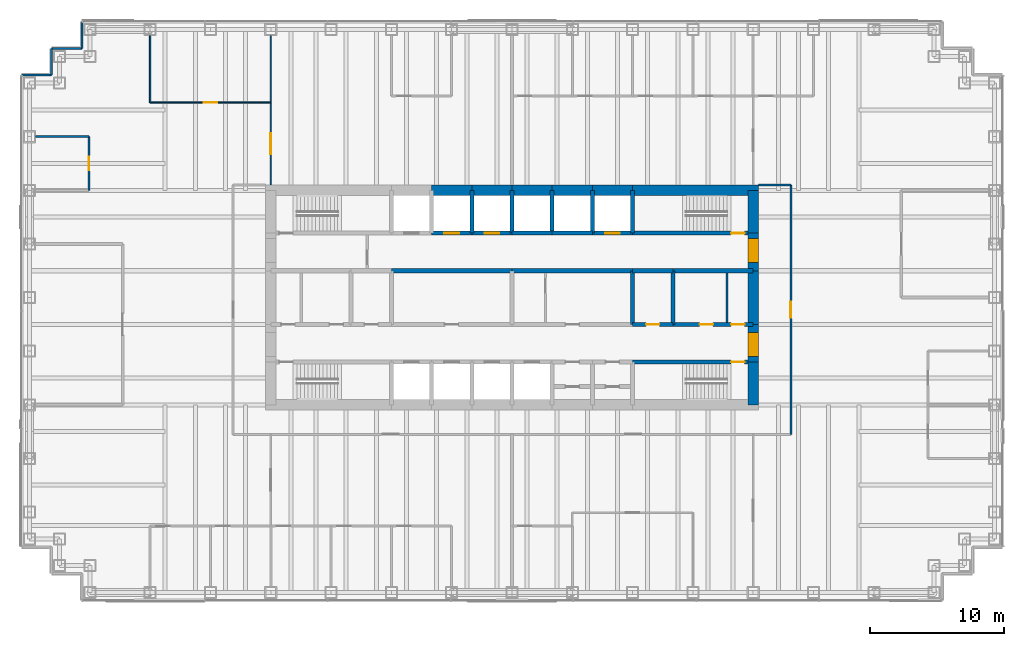
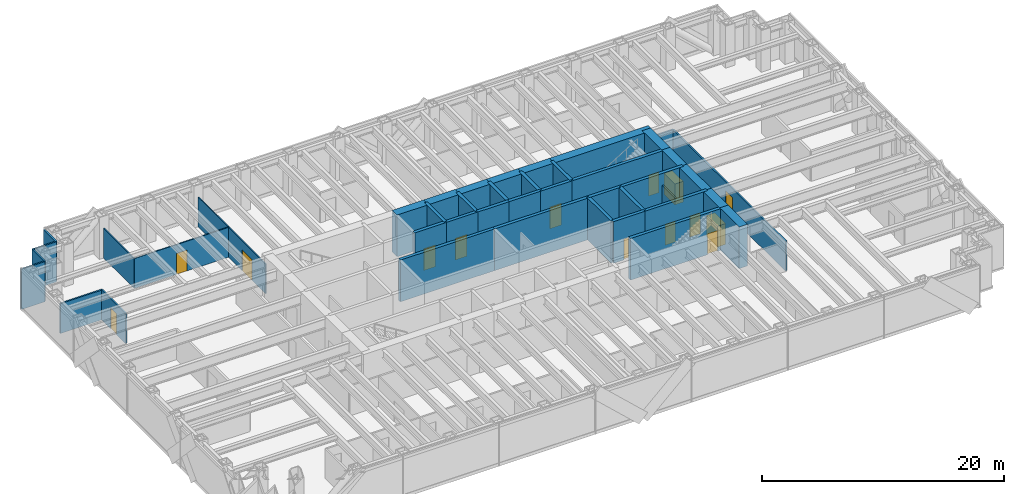
# One storey, part 16 of 18: 43 walls, 14 doors, 14 openings.
"""IFC4 building model written with IfcOpenShell, lengths in metres."""

from ifc_helpers import new_model, si_unit, direction, frame, frame_2d, origin, place, context, subcontext, project, spatial, rectangle, extrude, material, layer, layer_set, type_object, element, fill, save


model = new_model("IFC4")

# Units and contexts
model_context = context("Model", 3, precision=1e-05, world=origin(), true_north=direction((0.0, 1.0)))
body_context = subcontext(model_context, "Body", "Model", "MODEL_VIEW")
ifc_project = project(units=[si_unit("LENGTHUNIT", "METRE"), si_unit("AREAUNIT", "SQUARE_METRE"), si_unit("VOLUMEUNIT", "CUBIC_METRE"), si_unit("PLANEANGLEUNIT", "RADIAN"), si_unit("MASSUNIT", "GRAM", prefix="KILO")], contexts=[model_context])

# Site, building, storey
site_placement = place(None, origin())
site = spatial("IfcSite", under=ifc_project, at=site_placement, CompositionType="ELEMENT")
building_placement = place(site_placement, origin())
building = spatial("IfcBuilding", under=site, at=building_placement, Name="Rheinbord Bourse Tower", CompositionType="ELEMENT")
storey_placement = place(building_placement, frame((0.0, 0.0, 244.60009765625)))
storey = spatial("IfcBuildingStorey", under=building, at=storey_placement, Name="L55", CompositionType="ELEMENT", Elevation=244.60009765625)

# Wall, opening, door
ifc_material_1 = material(Name="Concrete C50/60", Category="concrete")
ifc_layer_1 = layer(ifc_material_1, 0.300048828125)
ifc_layer_set_1 = layer_set([ifc_layer_1], Name="CORE INNER WALL 300")
wall_type_1 = type_object("IfcWallType", Name="CORE INNER WALL 300", PredefinedType="SOLIDWALL", material=ifc_layer_set_1)
wall_1_placement = place(storey_placement, frame((45.0, 19.199951171875, 0.0), z_axis=(0.0, 0.0, 1.0), x_axis=(1.0, 0.0, 0.0)))
wall_1 = element("IfcWall", 1, at=wall_1_placement, inside=storey, type_object=wall_type_1, Name="Core wall A8 L55", PredefinedType="SOLIDWALL", context=body_context, shape_type="SweptSolid", body=[
    extrude(rectangle(XDim=9.0, YDim=0.300048828125, at=frame_2d((4.5, 0.0))), origin(), (0.0, 0.0, 1.0), 4.199951171875),
])
opening_1_placement = place(wall_1_placement, frame((7.35009765625, 0.0, 0.0)))
opening_1 = element("IfcOpeningElement", 2, at=opening_1_placement, cuts=wall_1, Name="Opening 5530", PredefinedType="OPENING", context=body_context, shape_type="SweptSolid", body=[
    extrude(rectangle(XDim=1.0, YDim=2.10009765625, at=frame_2d((0.5, 1.050048828125))), frame((0.0, 0.159912109375, 0.0), z_axis=(0.0, -1.0, 0.0), x_axis=(1.0, 0.0, 0.0)), (0.0, 0.0, 1.0), 0.320068359375),
])
ifc_material_2 = material(Name="Steel door", Category="steel")
door_type_1 = type_object("IfcDoorType", Name="DOOR 1000 EI30", OperationType="SINGLE_SWING_LEFT", PredefinedType="DOOR", material=ifc_material_2)
door_1_placement = place(opening_1_placement, origin())
door_1 = element("IfcDoor", 3, at=door_1_placement, inside=storey, type_object=door_type_1, Name="Stair door ST3 L55", OperationType="SINGLE_SWING_RIGHT", OverallHeight=2.10009765625, OverallWidth=1.0, PredefinedType="DOOR", context=body_context, shape_type="SweptSolid", body=[
    extrude(rectangle(XDim=1.0, YDim=2.10009765625, at=frame_2d((0.5, 1.050048828125))), frame((0.0, 0.02490234375, 0.0), z_axis=(0.0, -1.0, 0.0), x_axis=(1.0, 0.0, 0.0)), (0.0, 0.0, 1.0), 0.050048828125),
])
fill(opening_1, door_1)

wall_2_placement = place(storey_placement, frame((30.0, 28.800048828125, 0.0), z_axis=(0.0, 0.0, 1.0), x_axis=(1.0, 0.0, 0.0)))
wall_2 = element("IfcWall", 4, at=wall_2_placement, inside=storey, type_object=wall_type_1, Name="Core wall B3 L55", PredefinedType="SOLIDWALL", context=body_context, shape_type="SweptSolid", body=[
    extrude(rectangle(XDim=3.0, YDim=0.300048828125, at=frame_2d((1.5, 0.0))), origin(), (0.0, 0.0, 1.0), 4.199951171875),
])
opening_2_placement = place(wall_2_placement, frame((0.949951171875, 0.0, 0.0)))
opening_2 = element("IfcOpeningElement", 5, at=opening_2_placement, cuts=wall_2, Name="Opening PC4", PredefinedType="OPENING", context=body_context, shape_type="SweptSolid", body=[
    extrude(rectangle(XDim=1.10009765625, YDim=2.199951171875, at=frame_2d((0.550048828125, 1.10009765625))), frame((0.0, 0.159912109375, 0.0), z_axis=(0.0, -1.0, 0.0), x_axis=(1.0, 0.0, 0.0)), (0.0, 0.0, 1.0), 0.320068359375),
])
ifc_material_3 = material(Name="Steel landing door", Category="steel")
door_type_2 = type_object("IfcDoorType", Name="LIFT LANDING DOOR 1100", OperationType="DOUBLE_DOOR_SLIDING", PredefinedType="USERDEFINED", material=ifc_material_3)
door_2_placement = place(opening_2_placement, origin())
door_2 = element("IfcDoor", 6, at=door_2_placement, inside=storey, type_object=door_type_2, Name="Lift landing door PC4 L55", ObjectType="LIFT LANDING DOOR", OperationType="DOUBLE_DOOR_SLIDING", OverallHeight=2.199951171875, OverallWidth=1.10009765625, PredefinedType="USERDEFINED", context=body_context, shape_type="SweptSolid", body=[
    extrude(rectangle(XDim=1.10009765625, YDim=2.199951171875, at=frame_2d((0.550048828125, 1.10009765625))), frame((0.0, 0.02490234375, 0.0), z_axis=(0.0, -1.0, 0.0), x_axis=(1.0, 0.0, 0.0)), (0.0, 0.0, 1.0), 0.050048828125),
])
fill(opening_2, door_2)

wall_3_placement = place(storey_placement, frame((33.0, 28.800048828125, 0.0), z_axis=(0.0, 0.0, 1.0), x_axis=(1.0, 0.0, 0.0)))
wall_3 = element("IfcWall", 7, at=wall_3_placement, inside=storey, type_object=wall_type_1, Name="Core wall B4 L55", PredefinedType="SOLIDWALL", context=body_context, shape_type="SweptSolid", body=[
    extrude(rectangle(XDim=3.0, YDim=0.300048828125, at=frame_2d((1.5, 0.0))), origin(), (0.0, 0.0, 1.0), 4.199951171875),
])
opening_3_placement = place(wall_3_placement, frame((0.949951171875, 0.0, 0.0)))
opening_3 = element("IfcOpeningElement", 8, at=opening_3_placement, cuts=wall_3, Name="Opening PC5", PredefinedType="OPENING", context=body_context, shape_type="SweptSolid", body=[
    extrude(rectangle(XDim=1.10009765625, YDim=2.199951171875, at=frame_2d((0.550048828125, 1.10009765625))), frame((0.0, 0.159912109375, 0.0), z_axis=(0.0, -1.0, 0.0), x_axis=(1.0, 0.0, 0.0)), (0.0, 0.0, 1.0), 0.320068359375),
])
door_3_placement = place(opening_3_placement, origin())
door_3 = element("IfcDoor", 9, at=door_3_placement, inside=storey, type_object=door_type_2, Name="Lift landing door PC5 L55", ObjectType="LIFT LANDING DOOR", OperationType="DOUBLE_DOOR_SLIDING", OverallHeight=2.199951171875, OverallWidth=1.10009765625, PredefinedType="USERDEFINED", context=body_context, shape_type="SweptSolid", body=[
    extrude(rectangle(XDim=1.10009765625, YDim=2.199951171875, at=frame_2d((0.550048828125, 1.10009765625))), frame((0.0, 0.02490234375, 0.0), z_axis=(0.0, -1.0, 0.0), x_axis=(1.0, 0.0, 0.0)), (0.0, 0.0, 1.0), 0.050048828125),
])
fill(opening_3, door_3)

# Walls
for number, where, z_axis, x_axis, name in (
    (10, (36.0, 28.800048828125, 0.0), (0.0, 0.0, 1.0), (1.0, 0.0, 0.0), "Core wall B5 L55"),
    (11, (39.0, 28.800048828125, 0.0), (0.0, 0.0, 1.0), (1.0, 0.0, 0.0), "Core wall B6 L55"),
):
    element("IfcWall", number, at=place(storey_placement, frame(where, z_axis=z_axis, x_axis=x_axis)), inside=storey, type_object=wall_type_1, Name=name, PredefinedType="SOLIDWALL", context=body_context, shape_type="SweptSolid", body=[
        extrude(rectangle(XDim=3.0, YDim=0.300048828125, at=frame_2d((1.5, 0.0))), origin(), (0.0, 0.0, 1.0), 4.199951171875),
    ])

# Wall, opening, door
wall_4_placement = place(storey_placement, frame((42.0, 28.800048828125, 0.0), z_axis=(0.0, 0.0, 1.0), x_axis=(1.0, 0.0, 0.0)))
wall_4 = element("IfcWall", 12, at=wall_4_placement, inside=storey, type_object=wall_type_1, Name="Core wall B7 L55", PredefinedType="SOLIDWALL", context=body_context, shape_type="SweptSolid", body=[
    extrude(rectangle(XDim=3.0, YDim=0.300048828125, at=frame_2d((1.5, 0.0))), origin(), (0.0, 0.0, 1.0), 4.199951171875),
])
opening_4_placement = place(wall_4_placement, frame((0.949951171875, 0.0, 0.0)))
opening_4 = element("IfcOpeningElement", 13, at=opening_4_placement, cuts=wall_4, Name="Opening FL2", PredefinedType="OPENING", context=body_context, shape_type="SweptSolid", body=[
    extrude(rectangle(XDim=1.10009765625, YDim=2.199951171875, at=frame_2d((0.550048828125, 1.10009765625))), frame((0.0, 0.159912109375, 0.0), z_axis=(0.0, -1.0, 0.0), x_axis=(1.0, 0.0, 0.0)), (0.0, 0.0, 1.0), 0.320068359375),
])
door_4_placement = place(opening_4_placement, origin())
door_4 = element("IfcDoor", 14, at=door_4_placement, inside=storey, type_object=door_type_2, Name="Lift landing door FL2 L55", ObjectType="LIFT LANDING DOOR", OperationType="DOUBLE_DOOR_SLIDING", OverallHeight=2.199951171875, OverallWidth=1.10009765625, PredefinedType="USERDEFINED", context=body_context, shape_type="SweptSolid", body=[
    extrude(rectangle(XDim=1.10009765625, YDim=2.199951171875, at=frame_2d((0.550048828125, 1.10009765625))), frame((0.0, 0.02490234375, 0.0), z_axis=(0.0, -1.0, 0.0), x_axis=(1.0, 0.0, 0.0)), (0.0, 0.0, 1.0), 0.050048828125),
])
fill(opening_4, door_4)

wall_5_placement = place(storey_placement, frame((45.0, 28.800048828125, 0.0), z_axis=(0.0, 0.0, 1.0), x_axis=(1.0, 0.0, 0.0)))
wall_5 = element("IfcWall", 15, at=wall_5_placement, inside=storey, type_object=wall_type_1, Name="Core wall B8 L55", PredefinedType="SOLIDWALL", context=body_context, shape_type="SweptSolid", body=[
    extrude(rectangle(XDim=9.0, YDim=0.300048828125, at=frame_2d((4.5, 0.0))), origin(), (0.0, 0.0, 1.0), 4.199951171875),
])
opening_5_placement = place(wall_5_placement, frame((7.35009765625, 0.0, 0.0)))
opening_5 = element("IfcOpeningElement", 16, at=opening_5_placement, cuts=wall_5, Name="Opening 5540", PredefinedType="OPENING", context=body_context, shape_type="SweptSolid", body=[
    extrude(rectangle(XDim=1.0, YDim=2.10009765625, at=frame_2d((0.5, 1.050048828125))), frame((0.0, 0.159912109375, 0.0), z_axis=(0.0, -1.0, 0.0), x_axis=(1.0, 0.0, 0.0)), (0.0, 0.0, 1.0), 0.320068359375),
])
door_5_placement = place(opening_5_placement, origin())
door_5 = element("IfcDoor", 17, at=door_5_placement, inside=storey, type_object=door_type_1, Name="Stair door ST4 L55", OperationType="SINGLE_SWING_RIGHT", OverallHeight=2.10009765625, OverallWidth=1.0, PredefinedType="DOOR", context=body_context, shape_type="SweptSolid", body=[
    extrude(rectangle(XDim=1.0, YDim=2.10009765625, at=frame_2d((0.5, 1.050048828125))), frame((0.0, 0.02490234375, 0.0), z_axis=(0.0, -1.0, 0.0), x_axis=(1.0, 0.0, 0.0)), (0.0, 0.0, 1.0), 0.050048828125),
])
fill(opening_5, door_5)

wall_6_placement = place(storey_placement, frame((45.0, 22.0, 0.0), z_axis=(0.0, 0.0, 1.0), x_axis=(1.0, 0.0, 0.0)))
wall_6 = element("IfcWall", 18, at=wall_6_placement, inside=storey, type_object=wall_type_1, Name="Core wall C5 L55", PredefinedType="SOLIDWALL", context=body_context, shape_type="SweptSolid", body=[
    extrude(rectangle(XDim=3.0, YDim=0.300048828125, at=frame_2d((1.5, 0.0))), origin(), (0.0, 0.0, 1.0), 4.199951171875),
])
opening_6_placement = place(wall_6_placement, frame((1.0, 0.0, 0.0)))
opening_6 = element("IfcOpeningElement", 19, at=opening_6_placement, cuts=wall_6, Name="Opening 55R5", PredefinedType="OPENING", context=body_context, shape_type="SweptSolid", body=[
    extrude(rectangle(XDim=1.0, YDim=2.10009765625, at=frame_2d((0.5, 1.050048828125))), frame((0.0, 0.159912109375, 0.0), z_axis=(0.0, -1.0, 0.0), x_axis=(1.0, 0.0, 0.0)), (0.0, 0.0, 1.0), 0.320068359375),
])
ifc_material_4 = material(Name="Timber door", Category="wood")
door_type_3 = type_object("IfcDoorType", Name="DOOR 1000 WC", OperationType="SINGLE_SWING_LEFT", PredefinedType="DOOR", material=ifc_material_4)
door_6_placement = place(opening_6_placement, origin())
door_6 = element("IfcDoor", 20, at=door_6_placement, inside=storey, type_object=door_type_3, Name="Accessible WC door L55", OperationType="SINGLE_SWING_LEFT", OverallHeight=2.10009765625, OverallWidth=1.0, PredefinedType="DOOR", context=body_context, shape_type="SweptSolid", body=[
    extrude(rectangle(XDim=1.0, YDim=2.10009765625, at=frame_2d((0.5, 1.050048828125))), frame((0.0, 0.02490234375, 0.0), z_axis=(0.0, -1.0, 0.0), x_axis=(1.0, 0.0, 0.0)), (0.0, 0.0, 1.0), 0.050048828125),
])
fill(opening_6, door_6)

# Wall, openings, doors
wall_7_placement = place(storey_placement, frame((48.0, 22.0, 0.0), z_axis=(0.0, 0.0, 1.0), x_axis=(1.0, 0.0, 0.0)))
wall_7 = element("IfcWall", 21, at=wall_7_placement, inside=storey, type_object=wall_type_1, Name="Core wall C6 L55", PredefinedType="SOLIDWALL", context=body_context, shape_type="SweptSolid", body=[
    extrude(rectangle(XDim=6.0, YDim=0.300048828125, at=frame_2d((3.0, 0.0))), origin(), (0.0, 0.0, 1.0), 4.199951171875),
])
opening_7_placement = place(wall_7_placement, frame((2.0, 0.0, 0.0)))
opening_7 = element("IfcOpeningElement", 22, at=opening_7_placement, cuts=wall_7, Name="Opening 55R6", PredefinedType="OPENING", context=body_context, shape_type="SweptSolid", body=[
    extrude(rectangle(XDim=1.0, YDim=2.10009765625, at=frame_2d((0.5, 1.050048828125))), frame((0.0, 0.159912109375, 0.0), z_axis=(0.0, -1.0, 0.0), x_axis=(1.0, 0.0, 0.0)), (0.0, 0.0, 1.0), 0.320068359375),
])
opening_8_placement = place(wall_7_placement, frame((4.35009765625, 0.0, 0.0)))
opening_8 = element("IfcOpeningElement", 23, at=opening_8_placement, cuts=wall_7, Name="Opening 55R10", PredefinedType="OPENING", context=body_context, shape_type="SweptSolid", body=[
    extrude(rectangle(XDim=1.0, YDim=2.10009765625, at=frame_2d((0.5, 1.050048828125))), frame((0.0, 0.159912109375, 0.0), z_axis=(0.0, -1.0, 0.0), x_axis=(1.0, 0.0, 0.0)), (0.0, 0.0, 1.0), 0.320068359375),
])
door_7_placement = place(opening_8_placement, origin())
door_7 = element("IfcDoor", 24, at=door_7_placement, inside=storey, type_object=door_type_1, Name="Baby change door L55", OperationType="SINGLE_SWING_RIGHT", OverallHeight=2.10009765625, OverallWidth=1.0, PredefinedType="DOOR", context=body_context, shape_type="SweptSolid", body=[
    extrude(rectangle(XDim=1.0, YDim=2.10009765625, at=frame_2d((0.5, 1.050048828125))), frame((0.0, 0.02490234375, 0.0), z_axis=(0.0, -1.0, 0.0), x_axis=(1.0, 0.0, 0.0)), (0.0, 0.0, 1.0), 0.050048828125),
])
fill(opening_8, door_7)
door_8_placement = place(opening_7_placement, origin())
door_8 = element("IfcDoor", 25, at=door_8_placement, inside=storey, type_object=door_type_3, Name="WC women door L55", OperationType="SINGLE_SWING_LEFT", OverallHeight=2.10009765625, OverallWidth=1.0, PredefinedType="DOOR", context=body_context, shape_type="SweptSolid", body=[
    extrude(rectangle(XDim=1.0, YDim=2.10009765625, at=frame_2d((0.5, 1.050048828125))), frame((0.0, 0.02490234375, 0.0), z_axis=(0.0, -1.0, 0.0), x_axis=(1.0, 0.0, 0.0)), (0.0, 0.0, 1.0), 0.050048828125),
])
fill(opening_7, door_8)

# Walls
for number, where, z_axis, x_axis, name in (
    (26, (27.0, 26.0, 0.0), (0.0, 0.0, 1.0), (1.0, 0.0, 0.0), "Core wall D3 L55"),
    (27, (36.0, 26.0, 0.0), (0.0, 0.0, 1.0), (1.0, 0.0, 0.0), "Core wall D4 L55"),
):
    element("IfcWall", number, at=place(storey_placement, frame(where, z_axis=z_axis, x_axis=x_axis)), inside=storey, type_object=wall_type_1, Name=name, PredefinedType="SOLIDWALL", context=body_context, shape_type="SweptSolid", body=[
        extrude(rectangle(XDim=9.0, YDim=0.300048828125, at=frame_2d((4.5, 0.0))), origin(), (0.0, 0.0, 1.0), 4.199951171875),
    ])
wall_8_placement = place(storey_placement, frame((45.0, 26.0, 0.0), z_axis=(0.0, 0.0, 1.0), x_axis=(1.0, 0.0, 0.0)))
element("IfcWall", 28, at=wall_8_placement, inside=storey, type_object=wall_type_1, Name="Core wall D5 L55", PredefinedType="SOLIDWALL", context=body_context, shape_type="SweptSolid", body=[
    extrude(rectangle(XDim=3.0, YDim=0.300048828125, at=frame_2d((1.5, 0.0))), origin(), (0.0, 0.0, 1.0), 4.199951171875),
])
wall_9_placement = place(storey_placement, frame((48.0, 26.0, 0.0), z_axis=(0.0, 0.0, 1.0), x_axis=(1.0, 0.0, 0.0)))
element("IfcWall", 29, at=wall_9_placement, inside=storey, type_object=wall_type_1, Name="Core wall D6 L55", PredefinedType="SOLIDWALL", context=body_context, shape_type="SweptSolid", body=[
    extrude(rectangle(XDim=6.0, YDim=0.300048828125, at=frame_2d((3.0, 0.0))), origin(), (0.0, 0.0, 1.0), 4.199951171875),
])
for number, where, z_axis, x_axis, name in (
    (30, (33.0, 28.800048828125, 0.0), (0.0, 0.0, 1.0), (0.0, 1.0, 0.0), "Core wall NX33 L55"),
    (31, (36.0, 28.800048828125, 0.0), (0.0, 0.0, 1.0), (0.0, 1.0, 0.0), "Core wall NX36 L55"),
    (32, (39.0, 28.800048828125, 0.0), (0.0, 0.0, 1.0), (0.0, 1.0, 0.0), "Core wall NX39 L55"),
    (33, (42.0, 28.800048828125, 0.0), (0.0, 0.0, 1.0), (0.0, 1.0, 0.0), "Core wall NX42 L55"),
    (34, (45.0, 28.800048828125, 0.0), (0.0, 0.0, 1.0), (0.0, 1.0, 0.0), "Core wall NX45 L55"),
):
    element("IfcWall", number, at=place(storey_placement, frame(where, z_axis=z_axis, x_axis=x_axis)), inside=storey, type_object=wall_type_1, Name=name, PredefinedType="SOLIDWALL", context=body_context, shape_type="SweptSolid", body=[
        extrude(rectangle(XDim=3.199951171875, YDim=0.300048828125, at=frame_2d((1.60009765625, 0.0))), origin(), (0.0, 0.0, 1.0), 4.199951171875),
    ])
for number, where, z_axis, x_axis, name in (
    (35, (45.0, 22.0, 0.0), (0.0, 0.0, 1.0), (0.0, 1.0, 0.0), "Core wall MX45 L55"),
    (36, (48.0, 22.0, 0.0), (0.0, 0.0, 1.0), (0.0, 1.0, 0.0), "Core wall MX48 L55"),
):
    element("IfcWall", number, at=place(storey_placement, frame(where, z_axis=z_axis, x_axis=x_axis)), inside=storey, type_object=wall_type_1, Name=name, PredefinedType="SOLIDWALL", context=body_context, shape_type="SweptSolid", body=[
        extrude(rectangle(XDim=4.0, YDim=0.300048828125, at=frame_2d((2.0, 0.0))), origin(), (0.0, 0.0, 1.0), 4.199951171875),
    ])
ifc_material_5 = material(Name="Gypsum board fire partition", Category="gypsum board")
ifc_layer_2 = layer(ifc_material_5, 0.14990234375)
ifc_layer_set_2 = layer_set([ifc_layer_2], Name="CORE PARTITION 150 EI30")
wall_type_2 = type_object("IfcWallType", Name="CORE PARTITION 150 EI30", PredefinedType="PARTITIONING", material=ifc_layer_set_2)
wall_10_placement = place(storey_placement, frame((52.02490234375, 22.14990234375, 0.0), z_axis=(0.0, 0.0, 1.0), x_axis=(0.0, 1.0, 0.0)))
element("IfcWall", 37, at=wall_10_placement, inside=storey, type_object=wall_type_2, Name="Core partition L55-3", PredefinedType="PARTITIONING", context=body_context, shape_type="SweptSolid", body=[
    extrude(rectangle(XDim=3.7001953125, YDim=0.14990234375, at=frame_2d((1.85009765625, 0.0))), origin(), (0.0, 0.0, 1.0), 3.0),
])
ifc_material_6 = material(Name="Concrete C50/60", Category="concrete")
ifc_layer_3 = layer(ifc_material_6, 0.800048828125)
ifc_layer_set_3 = layer_set([ifc_layer_3], Name="CORE WALL 800")
wall_type_3 = type_object("IfcWallType", Name="CORE WALL 800", PredefinedType="SHEAR", material=ifc_layer_set_3)
wall_11_placement = place(storey_placement, frame((54.39990234375, 32.0, 0.0), z_axis=(0.0, 0.0, 1.0), x_axis=(-1.0, 0.0, 0.0)))
element("IfcWall", 38, at=wall_11_placement, inside=storey, type_object=wall_type_3, Name="Core wall N1 L55", PredefinedType="SHEAR", context=body_context, shape_type="SweptSolid", body=[
    extrude(rectangle(XDim=9.39990234375, YDim=0.800048828125, at=frame_2d((4.699951171875, 0.0))), origin(), (0.0, 0.0, 1.0), 4.199951171875),
])
for number, where, z_axis, x_axis, name in (
    (39, (45.0, 32.0, 0.0), (0.0, 0.0, 1.0), (-1.0, 0.0, 0.0), "Core wall N2 L55"),
    (40, (42.0, 32.0, 0.0), (0.0, 0.0, 1.0), (-1.0, 0.0, 0.0), "Core wall N3 L55"),
    (41, (39.0, 32.0, 0.0), (0.0, 0.0, 1.0), (-1.0, 0.0, 0.0), "Core wall N4 L55"),
    (42, (36.0, 32.0, 0.0), (0.0, 0.0, 1.0), (-1.0, 0.0, 0.0), "Core wall N5 L55"),
    (43, (33.0, 32.0, 0.0), (0.0, 0.0, 1.0), (-1.0, 0.0, 0.0), "Core wall N6 L55"),
):
    element("IfcWall", number, at=place(storey_placement, frame(where, z_axis=z_axis, x_axis=x_axis)), inside=storey, type_object=wall_type_3, Name=name, PredefinedType="SHEAR", context=body_context, shape_type="SweptSolid", body=[
        extrude(rectangle(XDim=3.0, YDim=0.800048828125, at=frame_2d((1.5, 0.0))), origin(), (0.0, 0.0, 1.0), 4.199951171875),
    ])
wall_12_placement = place(storey_placement, frame((54.0, 16.0, 0.0), z_axis=(0.0, 0.0, 1.0), x_axis=(0.0, 1.0, 0.0)))
element("IfcWall", 44, at=wall_12_placement, inside=storey, type_object=wall_type_3, Name="Core wall E1 L55", PredefinedType="SHEAR", context=body_context, shape_type="SweptSolid", body=[
    extrude(rectangle(XDim=3.199951171875, YDim=0.800048828125, at=frame_2d((1.60009765625, 0.0))), origin(), (0.0, 0.0, 1.0), 4.199951171875),
])

# Wall, opening, door
wall_13_placement = place(storey_placement, frame((54.0, 19.199951171875, 0.0), z_axis=(0.0, 0.0, 1.0), x_axis=(0.0, 1.0, 0.0)))
wall_13 = element("IfcWall", 45, at=wall_13_placement, inside=storey, type_object=wall_type_3, Name="Core wall E2 L55", PredefinedType="SHEAR", context=body_context, shape_type="SweptSolid", body=[
    extrude(rectangle(XDim=2.800048828125, YDim=0.800048828125, at=frame_2d((1.39990234375, 0.0))), origin(), (0.0, 0.0, 1.0), 4.199951171875),
])
opening_9_placement = place(wall_13_placement, frame((0.39990234375, 0.0, 0.0)))
opening_9 = element("IfcOpeningElement", 46, at=opening_9_placement, cuts=wall_13, Name="Opening 55L3", PredefinedType="OPENING", context=body_context, shape_type="SweptSolid", body=[
    extrude(rectangle(XDim=1.800048828125, YDim=2.10009765625, at=frame_2d((0.89990234375, 1.050048828125))), frame((0.0, 0.409912109375, 0.0), z_axis=(0.0, -1.0, 0.0), x_axis=(1.0, 0.0, 0.0)), (0.0, 0.0, 1.0), 0.820068359375),
])
ifc_material_7 = material(Name="Steel door", Category="steel")
door_type_4 = type_object("IfcDoorType", Name="DOOR 1800 EI30 DOUBLE", OperationType="DOUBLE_DOOR_DOUBLE_SWING", PredefinedType="DOOR", material=ifc_material_7)
door_9_placement = place(opening_9_placement, origin())
door_9 = element("IfcDoor", 47, at=door_9_placement, inside=storey, type_object=door_type_4, Name="Lobby door 3 L55", OperationType="SINGLE_SWING_LEFT", OverallHeight=2.10009765625, OverallWidth=1.800048828125, PredefinedType="DOOR", context=body_context, shape_type="SweptSolid", body=[
    extrude(rectangle(XDim=1.800048828125, YDim=2.10009765625, at=frame_2d((0.89990234375, 1.050048828125))), frame((0.0, 0.39990234375, 0.0), z_axis=(0.0, -1.0, 0.0), x_axis=(1.0, 0.0, 0.0)), (0.0, 0.0, 1.0), 0.799560546875),
])
fill(opening_9, door_9)

# Wall
wall_14_placement = place(storey_placement, frame((54.0, 22.0, 0.0), z_axis=(0.0, 0.0, 1.0), x_axis=(0.0, 1.0, 0.0)))
element("IfcWall", 48, at=wall_14_placement, inside=storey, type_object=wall_type_3, Name="Core wall E3 L55", PredefinedType="SHEAR", context=body_context, shape_type="SweptSolid", body=[
    extrude(rectangle(XDim=4.0, YDim=0.800048828125, at=frame_2d((2.0, 0.0))), origin(), (0.0, 0.0, 1.0), 4.199951171875),
])

# Wall, opening, door
wall_15_placement = place(storey_placement, frame((54.0, 26.0, 0.0), z_axis=(0.0, 0.0, 1.0), x_axis=(0.0, 1.0, 0.0)))
wall_15 = element("IfcWall", 49, at=wall_15_placement, inside=storey, type_object=wall_type_3, Name="Core wall E4 L55", PredefinedType="SHEAR", context=body_context, shape_type="SweptSolid", body=[
    extrude(rectangle(XDim=2.800048828125, YDim=0.800048828125, at=frame_2d((1.39990234375, 0.0))), origin(), (0.0, 0.0, 1.0), 4.199951171875),
])
opening_10_placement = place(wall_15_placement, frame((0.60009765625, 0.0, 0.0)))
opening_10 = element("IfcOpeningElement", 50, at=opening_10_placement, cuts=wall_15, Name="Opening 55L4", PredefinedType="OPENING", context=body_context, shape_type="SweptSolid", body=[
    extrude(rectangle(XDim=1.800048828125, YDim=2.10009765625, at=frame_2d((0.89990234375, 1.050048828125))), frame((0.0, 0.409912109375, 0.0), z_axis=(0.0, -1.0, 0.0), x_axis=(1.0, 0.0, 0.0)), (0.0, 0.0, 1.0), 0.820068359375),
])
door_10_placement = place(opening_10_placement, origin())
door_10 = element("IfcDoor", 51, at=door_10_placement, inside=storey, type_object=door_type_4, Name="Lobby door 4 L55", OperationType="SINGLE_SWING_LEFT", OverallHeight=2.10009765625, OverallWidth=1.800048828125, PredefinedType="DOOR", context=body_context, shape_type="SweptSolid", body=[
    extrude(rectangle(XDim=1.800048828125, YDim=2.10009765625, at=frame_2d((0.89990234375, 1.050048828125))), frame((0.0, 0.39990234375, 0.0), z_axis=(0.0, -1.0, 0.0), x_axis=(1.0, 0.0, 0.0)), (0.0, 0.0, 1.0), 0.799560546875),
])
fill(opening_10, door_10)

# Walls
wall_16_placement = place(storey_placement, frame((54.0, 28.800048828125, 0.0), z_axis=(0.0, 0.0, 1.0), x_axis=(0.0, 1.0, 0.0)))
element("IfcWall", 52, at=wall_16_placement, inside=storey, type_object=wall_type_3, Name="Core wall E5 L55", PredefinedType="SHEAR", context=body_context, shape_type="SweptSolid", body=[
    extrude(rectangle(XDim=3.199951171875, YDim=0.800048828125, at=frame_2d((1.60009765625, 0.0))), origin(), (0.0, 0.0, 1.0), 4.199951171875),
])
ifc_material_8 = material(Name="Black metal rainscreen panel", Category="aluminium")
ifc_layer_4 = layer(ifc_material_8, 0.14990234375)
ifc_layer_set_4 = layer_set([ifc_layer_4], Name="CORNER PIER CLADDING 150")
wall_type_4 = type_object("IfcWallType", Name="CORNER PIER CLADDING 150", PredefinedType="ELEMENTEDWALL", material=ifc_layer_set_4)
wall_17_placement = place(storey_placement, frame((3.89990234375, 44.60009765625, 0.0), z_axis=(0.0, 0.0, 1.0), x_axis=(0.0, -1.0, 0.0)))
element("IfcWall", 53, at=wall_17_placement, inside=storey, type_object=wall_type_4, Name="Corner pier cladding L55 12", PredefinedType="ELEMENTEDWALL", context=body_context, shape_type="SweptSolid", body=[
    extrude(rectangle(XDim=2.0, YDim=0.14990234375, at=frame_2d((1.0, 0.0))), origin(), (0.0, 0.0, 1.0), 4.039794921875),
])
wall_18_placement = place(storey_placement, frame((3.89990234375, 42.60009765625, 0.0), z_axis=(0.0, 0.0, 1.0), x_axis=(-1.0, 0.0, 0.0)))
element("IfcWall", 54, at=wall_18_placement, inside=storey, type_object=wall_type_4, Name="Corner pier cladding L55 13", PredefinedType="ELEMENTEDWALL", context=body_context, shape_type="SweptSolid", body=[
    extrude(rectangle(XDim=2.25, YDim=0.14990234375, at=frame_2d((1.125, 0.0))), origin(), (0.0, 0.0, 1.0), 4.039794921875),
])
wall_19_placement = place(storey_placement, frame((1.64990234375, 42.60009765625, 0.0), z_axis=(0.0, 0.0, 1.0), x_axis=(0.0, -1.0, 0.0)))
element("IfcWall", 55, at=wall_19_placement, inside=storey, type_object=wall_type_4, Name="Corner pier cladding L55 14", PredefinedType="ELEMENTEDWALL", context=body_context, shape_type="SweptSolid", body=[
    extrude(rectangle(XDim=2.0, YDim=0.14990234375, at=frame_2d((1.0, 0.0))), origin(), (0.0, 0.0, 1.0), 4.039794921875),
])
wall_20_placement = place(storey_placement, frame((1.64990234375, 40.60009765625, 0.0), z_axis=(0.0, 0.0, 1.0), x_axis=(-1.0, 0.0, 0.0)))
element("IfcWall", 56, at=wall_20_placement, inside=storey, type_object=wall_type_4, Name="Corner pier cladding L55 15", PredefinedType="ELEMENTEDWALL", context=body_context, shape_type="SweptSolid", body=[
    extrude(rectangle(XDim=2.25, YDim=0.14990234375, at=frame_2d((1.125, 0.0))), origin(), (0.0, 0.0, 1.0), 4.039794921875),
])
ifc_material_9 = material(Name="Gypsum board corridor partition", Category="gypsum board")
ifc_layer_5 = layer(ifc_material_9, 0.14990234375)
ifc_layer_set_5 = layer_set([ifc_layer_5], Name="CORRIDOR PARTITION 150 EI30")
wall_type_5 = type_object("IfcWallType", Name="CORRIDOR PARTITION 150 EI30", PredefinedType="PARTITIONING", material=ifc_layer_set_5)
wall_21_placement = place(storey_placement, frame((54.39990234375, 32.39990234375, 0.0), z_axis=(0.0, 0.0, 1.0), x_axis=(1.0, 0.0, 0.0)))
element("IfcWall", 57, at=wall_21_placement, inside=storey, type_object=wall_type_5, Name="Partition L55-14", PredefinedType="PARTITIONING", context=body_context, shape_type="SweptSolid", body=[
    extrude(rectangle(XDim=2.400146484375, YDim=0.14990234375, at=frame_2d((1.2001953125, 0.0))), origin(), (0.0, 0.0, 1.0), 3.0),
])

# Wall, opening, door
wall_22_placement = place(storey_placement, frame((56.800048828125, 13.800048828125, 0.0), z_axis=(0.0, 0.0, 1.0), x_axis=(0.0, 1.0, 0.0)))
wall_22 = element("IfcWall", 58, at=wall_22_placement, inside=storey, type_object=wall_type_5, Name="Partition L55-44", PredefinedType="PARTITIONING", context=body_context, shape_type="SweptSolid", body=[
    extrude(rectangle(XDim=18.599853515625, YDim=0.14990234375, at=frame_2d((9.2998046875, 0.0))), origin(), (0.0, 0.0, 1.0), 3.0),
])
opening_11_placement = place(wall_22_placement, frame((8.699951171875, 0.0, 0.0)))
opening_11 = element("IfcOpeningElement", 59, at=opening_11_placement, cuts=wall_22, Name="Opening 55D25", PredefinedType="OPENING", context=body_context, shape_type="SweptSolid", body=[
    extrude(rectangle(XDim=1.199951171875, YDim=2.10009765625, at=frame_2d((0.60009765625, 1.050048828125))), frame((0.0, 0.0849609375, 0.0), z_axis=(0.0, -1.0, 0.0), x_axis=(1.0, 0.0, 0.0)), (0.0, 0.0, 1.0), 0.169921875),
])
ifc_material_10 = material(Name="Timber fire door", Category="wood")
door_type_5 = type_object("IfcDoorType", Name="SUITE ENTRANCE DOOR 1200 EI30", OperationType="SINGLE_SWING_LEFT", PredefinedType="DOOR", material=ifc_material_10)
door_11_placement = place(opening_11_placement, origin())
door_11 = element("IfcDoor", 60, at=door_11_placement, inside=storey, type_object=door_type_5, Name="Suite entrance 2 door L55", OperationType="SINGLE_SWING_LEFT", OverallHeight=2.10009765625, OverallWidth=1.199951171875, PredefinedType="DOOR", context=body_context, shape_type="SweptSolid", body=[
    extrude(rectangle(XDim=1.199951171875, YDim=2.10009765625, at=frame_2d((0.60009765625, 1.050048828125))), frame((0.0, 0.02490234375, 0.0), z_axis=(0.0, -1.0, 0.0), x_axis=(1.0, 0.0, 0.0)), (0.0, 0.0, 1.0), 0.050048828125),
])
fill(opening_11, door_11)

# Wall
ifc_material_11 = material(Name="Gypsum board fire partition", Category="gypsum board")
ifc_layer_6 = layer(ifc_material_11, 0.14990234375)
ifc_layer_set_6 = layer_set([ifc_layer_6], Name="FIRE PARTITION 150 EI60")
wall_type_6 = type_object("IfcWallType", Name="FIRE PARTITION 150 EI60", PredefinedType="PARTITIONING", material=ifc_layer_set_6)
wall_23_placement = place(storey_placement, frame((0.449951171875, 36.0, 0.0), z_axis=(0.0, 0.0, 1.0), x_axis=(1.0, 0.0, 0.0)))
element("IfcWall", 61, at=wall_23_placement, inside=storey, type_object=wall_type_6, Name="Partition L55-15", PredefinedType="PARTITIONING", context=body_context, shape_type="SweptSolid", body=[
    extrude(rectangle(XDim=4.0, YDim=0.14990234375, at=frame_2d((2.0, 0.0))), origin(), (0.0, 0.0, 1.0), 3.0),
])

# Wall, opening, door
wall_24_placement = place(storey_placement, frame((4.449951171875, 32.0, 0.0), z_axis=(0.0, 0.0, 1.0), x_axis=(0.0, 1.0, 0.0)))
wall_24 = element("IfcWall", 62, at=wall_24_placement, inside=storey, type_object=wall_type_6, Name="Partition L55-19", PredefinedType="PARTITIONING", context=body_context, shape_type="SweptSolid", body=[
    extrude(rectangle(XDim=4.0, YDim=0.14990234375, at=frame_2d((2.0, 0.0))), origin(), (0.0, 0.0, 1.0), 3.0),
])
opening_12_placement = place(wall_24_placement, frame((1.5, 0.0, 0.0)))
opening_12 = element("IfcOpeningElement", 63, at=opening_12_placement, cuts=wall_24, Name="Opening 55D12", PredefinedType="OPENING", context=body_context, shape_type="SweptSolid", body=[
    extrude(rectangle(XDim=1.0, YDim=2.10009765625, at=frame_2d((0.5, 1.050048828125))), frame((0.0, 0.0849609375, 0.0), z_axis=(0.0, -1.0, 0.0), x_axis=(1.0, 0.0, 0.0)), (0.0, 0.0, 1.0), 0.169921875),
])
ifc_material_12 = material(Name="Timber fire door", Category="wood")
door_type_6 = type_object("IfcDoorType", Name="FIRE DOOR 1000 EI60", OperationType="SINGLE_SWING_LEFT", PredefinedType="DOOR", material=ifc_material_12)
door_12_placement = place(opening_12_placement, origin())
door_12 = element("IfcDoor", 64, at=door_12_placement, inside=storey, type_object=door_type_6, Name="Archive door L55", OperationType="SINGLE_SWING_LEFT", OverallHeight=2.10009765625, OverallWidth=1.0, PredefinedType="DOOR", context=body_context, shape_type="SweptSolid", body=[
    extrude(rectangle(XDim=1.0, YDim=2.10009765625, at=frame_2d((0.5, 1.050048828125))), frame((0.0, 0.02490234375, 0.0), z_axis=(0.0, -1.0, 0.0), x_axis=(1.0, 0.0, 0.0)), (0.0, 0.0, 1.0), 0.050048828125),
])
fill(opening_12, door_12)

ifc_material_13 = material(Name="Toughened laminated glass partition", Category="glass")
ifc_layer_7 = layer(ifc_material_13, 0.10009765625)
ifc_layer_set_7 = layer_set([ifc_layer_7], Name="GLAZED PARTITION 100")
wall_type_7 = type_object("IfcWallType", Name="GLAZED PARTITION 100", PredefinedType="PARTITIONING", material=ifc_layer_set_7)
wall_25_placement = place(storey_placement, frame((9.0, 38.550048828125, 0.0), z_axis=(0.0, 0.0, 1.0), x_axis=(1.0, 0.0, 0.0)))
wall_25 = element("IfcWall", 65, at=wall_25_placement, inside=storey, type_object=wall_type_7, Name="Partition L55-16", PredefinedType="PARTITIONING", context=body_context, shape_type="SweptSolid", body=[
    extrude(rectangle(XDim=9.0, YDim=0.10009765625, at=frame_2d((4.5, 0.0))), origin(), (0.0, 0.0, 1.0), 3.0),
])
opening_13_placement = place(wall_25_placement, frame((4.0, 0.0, 0.0)))
opening_13 = element("IfcOpeningElement", 66, at=opening_13_placement, cuts=wall_25, Name="Opening 55D13", PredefinedType="OPENING", context=body_context, shape_type="SweptSolid", body=[
    extrude(rectangle(XDim=1.0, YDim=2.10009765625, at=frame_2d((0.5, 1.050048828125))), frame((0.0, 0.06005859375, 0.0), z_axis=(0.0, -1.0, 0.0), x_axis=(1.0, 0.0, 0.0)), (0.0, 0.0, 1.0), 0.1201171875),
])
ifc_material_14 = material(Name="Timber door", Category="wood")
door_type_7 = type_object("IfcDoorType", Name="ROOM DOOR 1000", OperationType="SINGLE_SWING_LEFT", PredefinedType="DOOR", material=ifc_material_14)
door_13_placement = place(opening_13_placement, origin())
door_13 = element("IfcDoor", 67, at=door_13_placement, inside=storey, type_object=door_type_7, Name="Meeting room door L55", OperationType="SINGLE_SWING_LEFT", OverallHeight=2.10009765625, OverallWidth=1.0, PredefinedType="DOOR", context=body_context, shape_type="SweptSolid", body=[
    extrude(rectangle(XDim=1.0, YDim=2.10009765625, at=frame_2d((0.5, 1.050048828125))), frame((0.0, 0.02490234375, 0.0), z_axis=(0.0, -1.0, 0.0), x_axis=(1.0, 0.0, 0.0)), (0.0, 0.0, 1.0), 0.050048828125),
])
fill(opening_13, door_13)

# Wall
wall_26_placement = place(storey_placement, frame((9.0, 38.550048828125, 0.0), z_axis=(0.0, 0.0, 1.0), x_axis=(0.0, 1.0, 0.0)))
element("IfcWall", 68, at=wall_26_placement, inside=storey, type_object=wall_type_7, Name="Partition L55-22", PredefinedType="PARTITIONING", context=body_context, shape_type="SweptSolid", body=[
    extrude(rectangle(XDim=5.0, YDim=0.10009765625, at=frame_2d((2.5, 0.0))), origin(), (0.0, 0.0, 1.0), 3.0),
])

# Wall, opening, door
wall_27_placement = place(storey_placement, frame((18.0, 32.39990234375, 0.0), z_axis=(0.0, 0.0, 1.0), x_axis=(0.0, 1.0, 0.0)))
wall_27 = element("IfcWall", 69, at=wall_27_placement, inside=storey, type_object=wall_type_7, Name="Partition L55-27", PredefinedType="PARTITIONING", context=body_context, shape_type="SweptSolid", body=[
    extrude(rectangle(XDim=11.150146484375, YDim=0.10009765625, at=frame_2d((5.5751953125, 0.0))), origin(), (0.0, 0.0, 1.0), 3.0),
])
opening_14_placement = place(wall_27_placement, frame((2.27490234375, 0.0, 0.0)))
opening_14 = element("IfcOpeningElement", 70, at=opening_14_placement, cuts=wall_27, Name="Opening 55D21", PredefinedType="OPENING", context=body_context, shape_type="SweptSolid", body=[
    extrude(rectangle(XDim=1.60009765625, YDim=2.10009765625, at=frame_2d((0.800048828125, 1.050048828125))), frame((0.0, 0.06005859375, 0.0), z_axis=(0.0, -1.0, 0.0), x_axis=(1.0, 0.0, 0.0)), (0.0, 0.0, 1.0), 0.1201171875),
])
ifc_material_15 = material(Name="Timber door", Category="wood")
door_type_8 = type_object("IfcDoorType", Name="DOUBLE ROOM DOOR 1600", OperationType="DOUBLE_DOOR_DOUBLE_SWING", PredefinedType="DOOR", material=ifc_material_15)
door_14_placement = place(opening_14_placement, origin())
door_14 = element("IfcDoor", 71, at=door_14_placement, inside=storey, type_object=door_type_8, Name="Open area door L55", OperationType="SINGLE_SWING_LEFT", OverallHeight=2.10009765625, OverallWidth=1.60009765625, PredefinedType="DOOR", context=body_context, shape_type="SweptSolid", body=[
    extrude(rectangle(XDim=1.60009765625, YDim=2.10009765625, at=frame_2d((0.800048828125, 1.050048828125))), frame((0.0, 0.02490234375, 0.0), z_axis=(0.0, -1.0, 0.0), x_axis=(1.0, 0.0, 0.0)), (0.0, 0.0, 1.0), 0.050048828125),
])
fill(opening_14, door_14)

save(model, "model.ifc")
